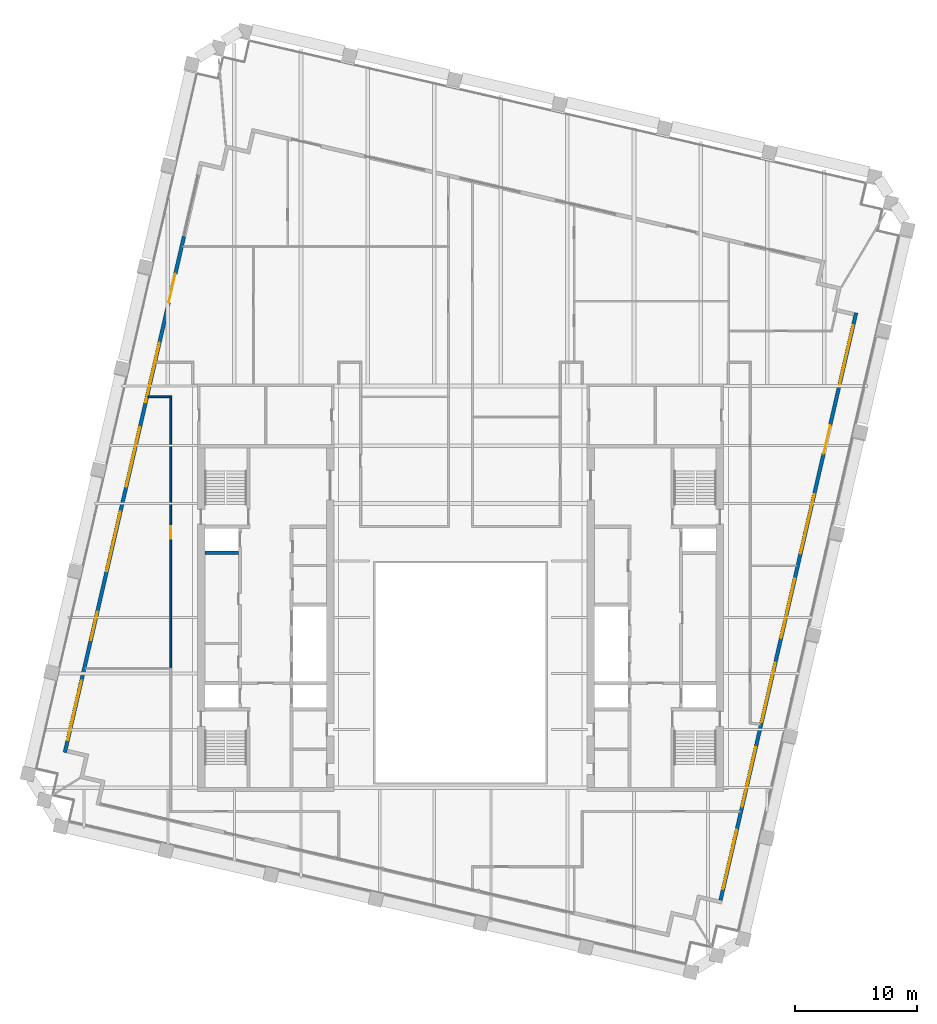
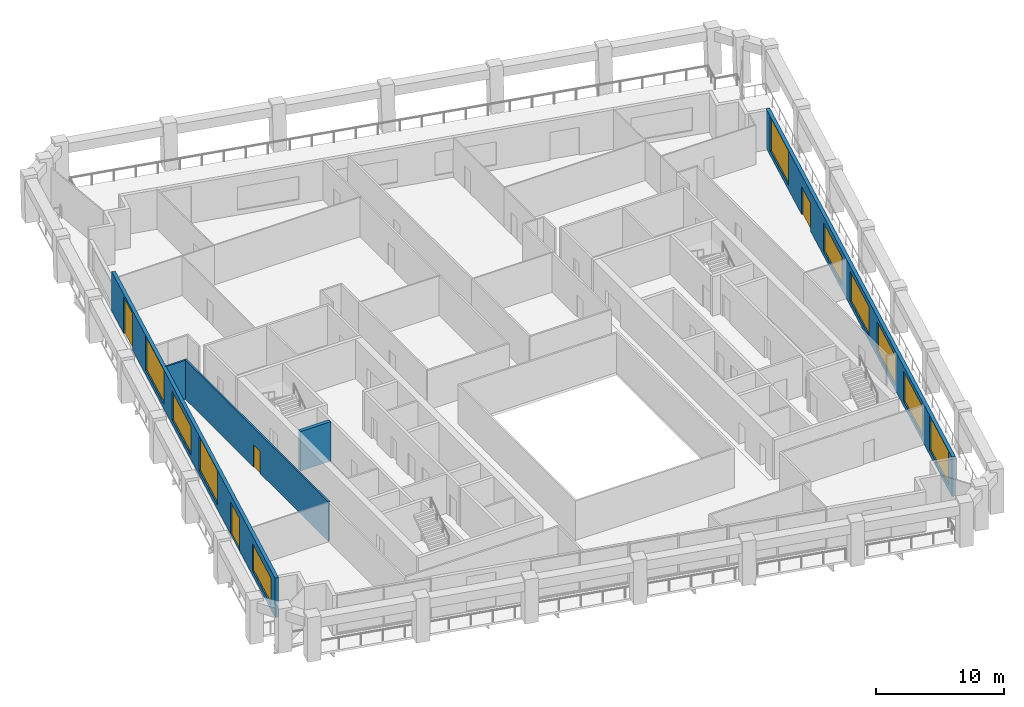
# One storey, part 7 of 11: 10 windows, 5 walls, 4 doors, 14 openings.
"""IFC4 building model written with IfcOpenShell, lengths in metres."""

from ifc_helpers import new_model, si_unit, direction, frame, frame_2d, origin, place, context, subcontext, project, spatial, rectangle, extrude, material, layer, layer_set, type_object, element, fill, save


model = new_model("IFC4")

# Units and contexts
model_context = context("Model", 3, precision=1e-05, world=origin(), true_north=direction((0.0, 1.0)))
body_context = subcontext(model_context, "Body", "Model", "MODEL_VIEW")
ifc_project = project(units=[si_unit("LENGTHUNIT", "METRE"), si_unit("AREAUNIT", "SQUARE_METRE"), si_unit("VOLUMEUNIT", "CUBIC_METRE"), si_unit("PLANEANGLEUNIT", "RADIAN"), si_unit("MASSUNIT", "GRAM", prefix="KILO")], contexts=[model_context])

# Site, building, storey
site_placement = place(None, origin())
site = spatial("IfcSite", under=ifc_project, at=site_placement, CompositionType="ELEMENT")
building_placement = place(site_placement, origin())
building = spatial("IfcBuilding", under=site, at=building_placement, Name="Ogive Exchange Tower", CompositionType="ELEMENT")
storey_placement = place(building_placement, frame((0.0, 0.0, 293.39990234375)))
storey = spatial("IfcBuildingStorey", under=building, at=storey_placement, Name="L64", CompositionType="ELEMENT", Elevation=293.39990234375)

# Wall, opening, door
ifc_material_1 = material(Name="Fire partition EI 60 150")
ifc_layer_1 = layer(ifc_material_1, 0.14990234375)
ifc_layer_set_1 = layer_set([ifc_layer_1], Name="Fire partition EI 60 150")
wall_type_1 = type_object("IfcWallType", Name="Fire partition EI 60 150", PredefinedType="PARTITIONING", material=ifc_layer_set_1)
wall_1_placement = place(storey_placement, frame((-23.800048828125, 7.35009765625, 0.0), z_axis=(0.0, 0.0, 1.0), x_axis=(0.0, 1.0, 0.0)))
wall_1 = element("IfcWall", 1, at=wall_1_placement, inside=storey, type_object=wall_type_1, Name="L64-PWL-004", PredefinedType="PARTITIONING", context=body_context, shape_type="SweptSolid", body=[
    extrude(rectangle(XDim=22.385009765625, YDim=0.14990234375, at=frame_2d((11.1923828125, 0.0))), origin(), (0.0, 0.0, 1.0), 3.75),
])
opening_1_placement = place(wall_1_placement, frame((10.659912109375, 0.0, 0.0)))
opening_1 = element("IfcOpeningElement", 2, at=opening_1_placement, cuts=wall_1, Name="Opening L64-I15", PredefinedType="OPENING", context=body_context, shape_type="SweptSolid", body=[
    extrude(rectangle(XDim=1.0, YDim=2.10009765625, at=frame_2d((0.5, 1.050048828125))), frame((0.0, 0.0849609375, 0.0), z_axis=(0.0, -1.0, 0.0), x_axis=(1.0, 0.0, 0.0)), (0.0, 0.0, 1.0), 0.169921875),
])
ifc_material_2 = material(Name="Fire door FD 30S 1000 x 2100")
door_type_1 = type_object("IfcDoorType", Name="Fire door FD 30S 1000 x 2100", OperationType="NOTDEFINED", PredefinedType="DOOR", material=ifc_material_2)
door_1_placement = place(opening_1_placement, origin())
door_1 = element("IfcDoor", 3, at=door_1_placement, inside=storey, type_object=door_type_1, Name="L64-IDR-015", ObjectType="DT3", OperationType="SINGLE_SWING_RIGHT", OverallHeight=2.10009765625, OverallWidth=1.0, PredefinedType="DOOR", context=body_context, shape_type="SweptSolid", body=[
    extrude(rectangle(XDim=1.0, YDim=2.10009765625, at=frame_2d((0.5, 1.050048828125))), frame((0.0, 0.02490234375, 0.0), z_axis=(0.0, -1.0, 0.0), x_axis=(1.0, 0.0, 0.0)), (0.0, 0.0, 1.0), 0.050048828125),
])
fill(opening_1, door_1)

# Wall
wall_2_placement = place(storey_placement, frame((-23.875, 29.659912109375, 0.0), z_axis=(0.0, 0.0, 1.0), x_axis=(-1.0, 0.0, 0.0)))
element("IfcWall", 4, at=wall_2_placement, inside=storey, type_object=wall_type_1, Name="L64-PWL-005", PredefinedType="PARTITIONING", context=body_context, shape_type="SweptSolid", body=[
    extrude(rectangle(XDim=1.802978515625, YDim=0.14990234375, at=frame_2d((0.9013671875, 0.0))), origin(), (0.0, 0.0, 1.0), 3.75),
])

# Wall, openings, windows, door
ifc_material_3 = material(Name="Precast concrete C40/50", Category="concrete")
ifc_layer_2 = layer(ifc_material_3, 0.300048828125)
ifc_layer_set_2 = layer_set([ifc_layer_2], Name="Limestone-faced wall 300")
wall_type_2 = type_object("IfcWallType", Name="Limestone-faced wall 300", PredefinedType="STANDARD", material=ifc_layer_set_2)
wall_3_placement = place(storey_placement, frame((21.35888671875, -11.67822265625, 0.0), z_axis=(0.0, 0.0, 1.0), x_axis=(0.224949198343, 0.974370493275, 0.0)))
wall_3 = element("IfcWall", 5, at=wall_3_placement, inside=storey, type_object=wall_type_2, Name="External wall E3", PredefinedType="STANDARD", context=body_context, shape_type="SweptSolid", body=[
    extrude(rectangle(XDim=49.5, YDim=0.300048828125, at=frame_2d((24.75, 0.0))), origin(), (0.0, 0.0, 1.0), 3.75),
])
opening_2_placement = place(wall_3_placement, frame((0.906982421875, 0.0, 0.449951171875)))
opening_2 = element("IfcOpeningElement", 6, at=opening_2_placement, cuts=wall_3, Name="Opening W2", PredefinedType="OPENING", context=body_context, shape_type="SweptSolid", body=[
    extrude(rectangle(XDim=5.0, YDim=3.25, at=frame_2d((2.5, 1.625))), frame((0.0, 0.159912109375, 0.0), z_axis=(0.0, -1.0, 0.0), x_axis=(1.0, 0.0, 0.0)), (0.0, 0.0, 1.0), 0.320068359375),
])
opening_3_placement = place(wall_3_placement, frame((7.871337890625, 0.0, 0.449951171875)))
opening_3 = element("IfcOpeningElement", 7, at=opening_3_placement, cuts=wall_3, Name="Opening W2C", PredefinedType="OPENING", context=body_context, shape_type="SweptSolid", body=[
    extrude(rectangle(XDim=5.0, YDim=2.85009765625, at=frame_2d((2.5, 1.425048828125))), frame((0.0, 0.159912109375, 0.0), z_axis=(0.0, -1.0, 0.0), x_axis=(1.0, 0.0, 0.0)), (0.0, 0.0, 1.0), 0.320068359375),
])
opening_4_placement = place(wall_3_placement, frame((14.985595703125, 0.0, 0.449951171875)))
opening_4 = element("IfcOpeningElement", 8, at=opening_4_placement, cuts=wall_3, Name="Opening W2C", PredefinedType="OPENING", context=body_context, shape_type="SweptSolid", body=[
    extrude(rectangle(XDim=5.0, YDim=2.85009765625, at=frame_2d((2.5, 1.425048828125))), frame((0.0, 0.159912109375, 0.0), z_axis=(0.0, -1.0, 0.0), x_axis=(1.0, 0.0, 0.0)), (0.0, 0.0, 1.0), 0.320068359375),
])
opening_5_placement = place(wall_3_placement, frame((22.10009765625, 0.0, 0.449951171875)))
opening_5 = element("IfcOpeningElement", 9, at=opening_5_placement, cuts=wall_3, Name="Opening W2D", PredefinedType="OPENING", context=body_context, shape_type="SweptSolid", body=[
    extrude(rectangle(XDim=5.0, YDim=2.800048828125, at=frame_2d((2.5, 1.39990234375))), frame((0.0, 0.159912109375, 0.0), z_axis=(0.0, -1.0, 0.0), x_axis=(1.0, 0.0, 0.0)), (0.0, 0.0, 1.0), 0.320068359375),
])
opening_6_placement = place(wall_3_placement, frame((29.214111328125, 0.0, 0.449951171875)))
opening_6 = element("IfcOpeningElement", 10, at=opening_6_placement, cuts=wall_3, Name="Opening W2H", PredefinedType="OPENING", context=body_context, shape_type="SweptSolid", body=[
    extrude(rectangle(XDim=5.0, YDim=2.699951171875, at=frame_2d((2.5, 1.35009765625))), frame((0.0, 0.159912109375, 0.0), z_axis=(0.0, -1.0, 0.0), x_axis=(1.0, 0.0, 0.0)), (0.0, 0.0, 1.0), 0.320068359375),
])
opening_7_placement = place(wall_3_placement, frame((37.62841796875, 0.0, 0.0)))
opening_7 = element("IfcOpeningElement", 11, at=opening_7_placement, cuts=wall_3, Name="Opening D1T", PredefinedType="OPENING", context=body_context, shape_type="SweptSolid", body=[
    extrude(rectangle(XDim=2.39990234375, YDim=2.64990234375, at=frame_2d((1.199951171875, 1.324951171875))), frame((0.0, 0.159912109375, 0.0), z_axis=(0.0, -1.0, 0.0), x_axis=(1.0, 0.0, 0.0)), (0.0, 0.0, 1.0), 0.320068359375),
])
opening_8_placement = place(wall_3_placement, frame((43.44287109375, 0.0, 0.449951171875)))
opening_8 = element("IfcOpeningElement", 12, at=opening_8_placement, cuts=wall_3, Name="Opening W2", PredefinedType="OPENING", context=body_context, shape_type="SweptSolid", body=[
    extrude(rectangle(XDim=5.0, YDim=3.25, at=frame_2d((2.5, 1.625))), frame((0.0, 0.159912109375, 0.0), z_axis=(0.0, -1.0, 0.0), x_axis=(1.0, 0.0, 0.0)), (0.0, 0.0, 1.0), 0.320068359375),
])
ifc_material_4 = material(Name="Clear glass in bronze frame", Category="glass")
window_type_1 = type_object("IfcWindowType", Name="Executive lancet window 5000 x 2700", PartitioningType="DOUBLE_PANEL_VERTICAL", PredefinedType="WINDOW", material=ifc_material_4)
window_1_placement = place(opening_6_placement, origin())
window_1 = element("IfcWindow", 13, at=window_1_placement, inside=storey, type_object=window_type_1, Name="Window E04", OverallHeight=2.699951171875, OverallWidth=5.0, PartitioningType="DOUBLE_PANEL_VERTICAL", PredefinedType="WINDOW", context=body_context, shape_type="SweptSolid", body=[
    extrude(rectangle(XDim=5.0, YDim=2.699951171875, at=frame_2d((2.5, 1.35009765625))), frame((0.0, 0.030029296875, 0.0), z_axis=(0.0, -1.0, 0.0), x_axis=(1.0, 0.0, 0.0)), (0.0, 0.0, 1.0), 0.06005859375),
])
fill(opening_6, window_1)
window_type_2 = type_object("IfcWindowType", Name="Executive lancet window 5000 x 2800", PartitioningType="DOUBLE_PANEL_VERTICAL", PredefinedType="WINDOW", material=ifc_material_4)
window_2_placement = place(opening_5_placement, origin())
window_2 = element("IfcWindow", 14, at=window_2_placement, inside=storey, type_object=window_type_2, Name="Window E03", OverallHeight=2.800048828125, OverallWidth=5.0, PartitioningType="DOUBLE_PANEL_VERTICAL", PredefinedType="WINDOW", context=body_context, shape_type="SweptSolid", body=[
    extrude(rectangle(XDim=5.0, YDim=2.800048828125, at=frame_2d((2.5, 1.39990234375))), frame((0.0, 0.030029296875, 0.0), z_axis=(0.0, -1.0, 0.0), x_axis=(1.0, 0.0, 0.0)), (0.0, 0.0, 1.0), 0.06005859375),
])
fill(opening_5, window_2)
window_type_3 = type_object("IfcWindowType", Name="Executive lancet window 5000 x 2850", PartitioningType="DOUBLE_PANEL_VERTICAL", PredefinedType="WINDOW", material=ifc_material_4)
window_3_placement = place(opening_3_placement, origin())
window_3 = element("IfcWindow", 15, at=window_3_placement, inside=storey, type_object=window_type_3, Name="Window E01", OverallHeight=2.85009765625, OverallWidth=5.0, PartitioningType="DOUBLE_PANEL_VERTICAL", PredefinedType="WINDOW", context=body_context, shape_type="SweptSolid", body=[
    extrude(rectangle(XDim=5.0, YDim=2.85009765625, at=frame_2d((2.5, 1.425048828125))), frame((0.0, 0.030029296875, 0.0), z_axis=(0.0, -1.0, 0.0), x_axis=(1.0, 0.0, 0.0)), (0.0, 0.0, 1.0), 0.06005859375),
])
fill(opening_3, window_3)
window_4_placement = place(opening_4_placement, origin())
window_4 = element("IfcWindow", 16, at=window_4_placement, inside=storey, type_object=window_type_3, Name="Window E02", OverallHeight=2.85009765625, OverallWidth=5.0, PartitioningType="DOUBLE_PANEL_VERTICAL", PredefinedType="WINDOW", context=body_context, shape_type="SweptSolid", body=[
    extrude(rectangle(XDim=5.0, YDim=2.85009765625, at=frame_2d((2.5, 1.425048828125))), frame((0.0, 0.030029296875, 0.0), z_axis=(0.0, -1.0, 0.0), x_axis=(1.0, 0.0, 0.0)), (0.0, 0.0, 1.0), 0.06005859375),
])
fill(opening_4, window_4)
window_type_4 = type_object("IfcWindowType", Name="Executive lancet window 5000 x 3250", PartitioningType="DOUBLE_PANEL_VERTICAL", PredefinedType="WINDOW", material=ifc_material_4)
window_5_placement = place(opening_2_placement, origin())
window_5 = element("IfcWindow", 17, at=window_5_placement, inside=storey, type_object=window_type_4, Name="Window E00", OverallHeight=3.25, OverallWidth=5.0, PartitioningType="DOUBLE_PANEL_VERTICAL", PredefinedType="WINDOW", context=body_context, shape_type="SweptSolid", body=[
    extrude(rectangle(XDim=5.0, YDim=3.25, at=frame_2d((2.5, 1.625))), frame((0.0, 0.030029296875, 0.0), z_axis=(0.0, -1.0, 0.0), x_axis=(1.0, 0.0, 0.0)), (0.0, 0.0, 1.0), 0.06005859375),
])
fill(opening_2, window_5)
window_6_placement = place(opening_8_placement, origin())
window_6 = element("IfcWindow", 18, at=window_6_placement, inside=storey, type_object=window_type_4, Name="Window E06", OverallHeight=3.25, OverallWidth=5.0, PartitioningType="DOUBLE_PANEL_VERTICAL", PredefinedType="WINDOW", context=body_context, shape_type="SweptSolid", body=[
    extrude(rectangle(XDim=5.0, YDim=3.25, at=frame_2d((2.5, 1.625))), frame((0.0, 0.030029296875, 0.0), z_axis=(0.0, -1.0, 0.0), x_axis=(1.0, 0.0, 0.0)), (0.0, 0.0, 1.0), 0.06005859375),
])
fill(opening_8, window_6)
door_type_2 = type_object("IfcDoorType", Name="Sliding loggia door 2400 x 2650", OperationType="DOUBLE_DOOR_SLIDING", PredefinedType="DOOR", material=ifc_material_4)
door_2_placement = place(opening_7_placement, origin())
door_2 = element("IfcDoor", 19, at=door_2_placement, inside=storey, type_object=door_type_2, Name="Loggia door E05", OperationType="DOUBLE_DOOR_SLIDING", OverallHeight=2.64990234375, OverallWidth=2.39990234375, PredefinedType="DOOR", context=body_context, shape_type="SweptSolid", body=[
    extrude(rectangle(XDim=2.39990234375, YDim=2.64990234375, at=frame_2d((1.199951171875, 1.324951171875))), frame((0.0, 0.02490234375, 0.0), z_axis=(0.0, -1.0, 0.0), x_axis=(1.0, 0.0, 0.0)), (0.0, 0.0, 1.0), 0.050048828125),
])
fill(opening_7, door_2)

# Wall, openings, windows, doors
wall_4_placement = place(storey_placement, frame((-22.710205078125, 42.8251953125, 0.0), z_axis=(0.0, 0.0, 1.0), x_axis=(-0.224948057419, -0.974370756675, 0.0)))
wall_4 = element("IfcWall", 20, at=wall_4_placement, inside=storey, type_object=wall_type_2, Name="External wall W5", PredefinedType="STANDARD", context=body_context, shape_type="SweptSolid", body=[
    extrude(rectangle(XDim=43.4931640625, YDim=0.300048828125, at=frame_2d((21.74658203125, 0.0))), origin(), (0.0, 0.0, 1.0), 3.75),
])
opening_9_placement = place(wall_4_placement, frame((3.164306640625, 0.0, 0.0)))
opening_9 = element("IfcOpeningElement", 21, at=opening_9_placement, cuts=wall_4, Name="Opening D1", PredefinedType="OPENING", context=body_context, shape_type="SweptSolid", body=[
    extrude(rectangle(XDim=2.39990234375, YDim=3.5, at=frame_2d((1.199951171875, 1.75))), frame((0.0, 0.159912109375, 0.0), z_axis=(0.0, -1.0, 0.0), x_axis=(1.0, 0.0, 0.0)), (0.0, 0.0, 1.0), 0.320068359375),
])
opening_10_placement = place(wall_4_placement, frame((8.978515625, 0.0, 0.449951171875)))
opening_10 = element("IfcOpeningElement", 22, at=opening_10_placement, cuts=wall_4, Name="Opening W2", PredefinedType="OPENING", context=body_context, shape_type="SweptSolid", body=[
    extrude(rectangle(XDim=5.0, YDim=3.25, at=frame_2d((2.5, 1.625))), frame((0.0, 0.159912109375, 0.0), z_axis=(0.0, -1.0, 0.0), x_axis=(1.0, 0.0, 0.0)), (0.0, 0.0, 1.0), 0.320068359375),
])
opening_11_placement = place(wall_4_placement, frame((16.093017578125, 0.0, 0.449951171875)))
opening_11 = element("IfcOpeningElement", 23, at=opening_11_placement, cuts=wall_4, Name="Opening W2H", PredefinedType="OPENING", context=body_context, shape_type="SweptSolid", body=[
    extrude(rectangle(XDim=5.0, YDim=2.699951171875, at=frame_2d((2.5, 1.35009765625))), frame((0.0, 0.159912109375, 0.0), z_axis=(0.0, -1.0, 0.0), x_axis=(1.0, 0.0, 0.0)), (0.0, 0.0, 1.0), 0.320068359375),
])
opening_12_placement = place(wall_4_placement, frame((23.20703125, 0.0, 0.449951171875)))
opening_12 = element("IfcOpeningElement", 24, at=opening_12_placement, cuts=wall_4, Name="Opening W2", PredefinedType="OPENING", context=body_context, shape_type="SweptSolid", body=[
    extrude(rectangle(XDim=5.0, YDim=3.25, at=frame_2d((2.5, 1.625))), frame((0.0, 0.159912109375, 0.0), z_axis=(0.0, -1.0, 0.0), x_axis=(1.0, 0.0, 0.0)), (0.0, 0.0, 1.0), 0.320068359375),
])
opening_13_placement = place(wall_4_placement, frame((31.621337890625, 0.0, 0.0)))
opening_13 = element("IfcOpeningElement", 25, at=opening_13_placement, cuts=wall_4, Name="Opening D1K", PredefinedType="OPENING", context=body_context, shape_type="SweptSolid", body=[
    extrude(rectangle(XDim=2.39990234375, YDim=3.074951171875, at=frame_2d((1.199951171875, 1.53759765625))), frame((0.0, 0.159912109375, 0.0), z_axis=(0.0, -1.0, 0.0), x_axis=(1.0, 0.0, 0.0)), (0.0, 0.0, 1.0), 0.320068359375),
])
opening_14_placement = place(wall_4_placement, frame((37.435791015625, 0.0, 0.449951171875)))
opening_14 = element("IfcOpeningElement", 26, at=opening_14_placement, cuts=wall_4, Name="Opening W2K", PredefinedType="OPENING", context=body_context, shape_type="SweptSolid", body=[
    extrude(rectangle(XDim=5.0, YDim=2.574951171875, at=frame_2d((2.5, 1.28759765625))), frame((0.0, 0.159912109375, 0.0), z_axis=(0.0, -1.0, 0.0), x_axis=(1.0, 0.0, 0.0)), (0.0, 0.0, 1.0), 0.320068359375),
])
window_type_5 = type_object("IfcWindowType", Name="Executive lancet window 5000 x 2575", PartitioningType="DOUBLE_PANEL_VERTICAL", PredefinedType="WINDOW", material=ifc_material_4)
window_7_placement = place(opening_14_placement, origin())
window_7 = element("IfcWindow", 27, at=window_7_placement, inside=storey, type_object=window_type_5, Name="Window W06", OverallHeight=2.574951171875, OverallWidth=5.0, PartitioningType="DOUBLE_PANEL_VERTICAL", PredefinedType="WINDOW", context=body_context, shape_type="SweptSolid", body=[
    extrude(rectangle(XDim=5.0, YDim=2.574951171875, at=frame_2d((2.5, 1.28759765625))), frame((0.0, 0.030029296875, 0.0), z_axis=(0.0, -1.0, 0.0), x_axis=(1.0, 0.0, 0.0)), (0.0, 0.0, 1.0), 0.06005859375),
])
fill(opening_14, window_7)
window_8_placement = place(opening_11_placement, origin())
window_8 = element("IfcWindow", 28, at=window_8_placement, inside=storey, type_object=window_type_1, Name="Window W03", OverallHeight=2.699951171875, OverallWidth=5.0, PartitioningType="DOUBLE_PANEL_VERTICAL", PredefinedType="WINDOW", context=body_context, shape_type="SweptSolid", body=[
    extrude(rectangle(XDim=5.0, YDim=2.699951171875, at=frame_2d((2.5, 1.35009765625))), frame((0.0, 0.030029296875, 0.0), z_axis=(0.0, -1.0, 0.0), x_axis=(1.0, 0.0, 0.0)), (0.0, 0.0, 1.0), 0.06005859375),
])
fill(opening_11, window_8)
window_9_placement = place(opening_10_placement, origin())
window_9 = element("IfcWindow", 29, at=window_9_placement, inside=storey, type_object=window_type_4, Name="Window W02", OverallHeight=3.25, OverallWidth=5.0, PartitioningType="DOUBLE_PANEL_VERTICAL", PredefinedType="WINDOW", context=body_context, shape_type="SweptSolid", body=[
    extrude(rectangle(XDim=5.0, YDim=3.25, at=frame_2d((2.5, 1.625))), frame((0.0, 0.030029296875, 0.0), z_axis=(0.0, -1.0, 0.0), x_axis=(1.0, 0.0, 0.0)), (0.0, 0.0, 1.0), 0.06005859375),
])
fill(opening_10, window_9)
window_10_placement = place(opening_12_placement, origin())
window_10 = element("IfcWindow", 30, at=window_10_placement, inside=storey, type_object=window_type_4, Name="Window W04", OverallHeight=3.25, OverallWidth=5.0, PartitioningType="DOUBLE_PANEL_VERTICAL", PredefinedType="WINDOW", context=body_context, shape_type="SweptSolid", body=[
    extrude(rectangle(XDim=5.0, YDim=3.25, at=frame_2d((2.5, 1.625))), frame((0.0, 0.030029296875, 0.0), z_axis=(0.0, -1.0, 0.0), x_axis=(1.0, 0.0, 0.0)), (0.0, 0.0, 1.0), 0.06005859375),
])
fill(opening_12, window_10)
door_type_3 = type_object("IfcDoorType", Name="Sliding loggia door 2400 x 3075", OperationType="DOUBLE_DOOR_SLIDING", PredefinedType="DOOR", material=ifc_material_4)
door_3_placement = place(opening_13_placement, origin())
door_3 = element("IfcDoor", 31, at=door_3_placement, inside=storey, type_object=door_type_3, Name="Loggia door W05", OperationType="DOUBLE_DOOR_SLIDING", OverallHeight=3.074951171875, OverallWidth=2.39990234375, PredefinedType="DOOR", context=body_context, shape_type="SweptSolid", body=[
    extrude(rectangle(XDim=2.39990234375, YDim=3.074951171875, at=frame_2d((1.199951171875, 1.53759765625))), frame((0.0, 0.02490234375, 0.0), z_axis=(0.0, -1.0, 0.0), x_axis=(1.0, 0.0, 0.0)), (0.0, 0.0, 1.0), 0.050048828125),
])
fill(opening_13, door_3)
door_type_4 = type_object("IfcDoorType", Name="Sliding loggia door 2400 x 3500", OperationType="DOUBLE_DOOR_SLIDING", PredefinedType="DOOR", material=ifc_material_4)
door_4_placement = place(opening_9_placement, origin())
door_4 = element("IfcDoor", 32, at=door_4_placement, inside=storey, type_object=door_type_4, Name="Loggia door W01", OperationType="DOUBLE_DOOR_SLIDING", OverallHeight=3.5, OverallWidth=2.39990234375, PredefinedType="DOOR", context=body_context, shape_type="SweptSolid", body=[
    extrude(rectangle(XDim=2.39990234375, YDim=3.5, at=frame_2d((1.199951171875, 1.75))), frame((0.0, 0.02490234375, 0.0), z_axis=(0.0, -1.0, 0.0), x_axis=(1.0, 0.0, 0.0)), (0.0, 0.0, 1.0), 0.050048828125),
])
fill(opening_9, door_4)

# Wall
ifc_material_5 = material(Name="Concrete C70/85", Category="concrete")
ifc_layer_3 = layer(ifc_material_5, 0.300048828125)
ifc_layer_set_3 = layer_set([ifc_layer_3], Name="RC core wall 300 C70/85")
wall_type_3 = type_object("IfcWallType", Name="RC core wall 300 C70/85", PredefinedType="SHEAR", material=ifc_layer_set_3)
wall_5_placement = place(storey_placement, frame((-21.0, 16.857177734375, 0.0), z_axis=(0.0, 0.0, 1.0), x_axis=(1.0, 0.0, 0.0)))
element("IfcWall", 33, at=wall_5_placement, inside=storey, type_object=wall_type_3, Name="W row A divider 6", PredefinedType="SHEAR", context=body_context, shape_type="SweptSolid", body=[
    extrude(rectangle(XDim=2.75, YDim=0.300048828125, at=frame_2d((1.375, 0.0))), origin(), (0.0, 0.0, 1.0), 3.75),
])

save(model, "model.ifc")
